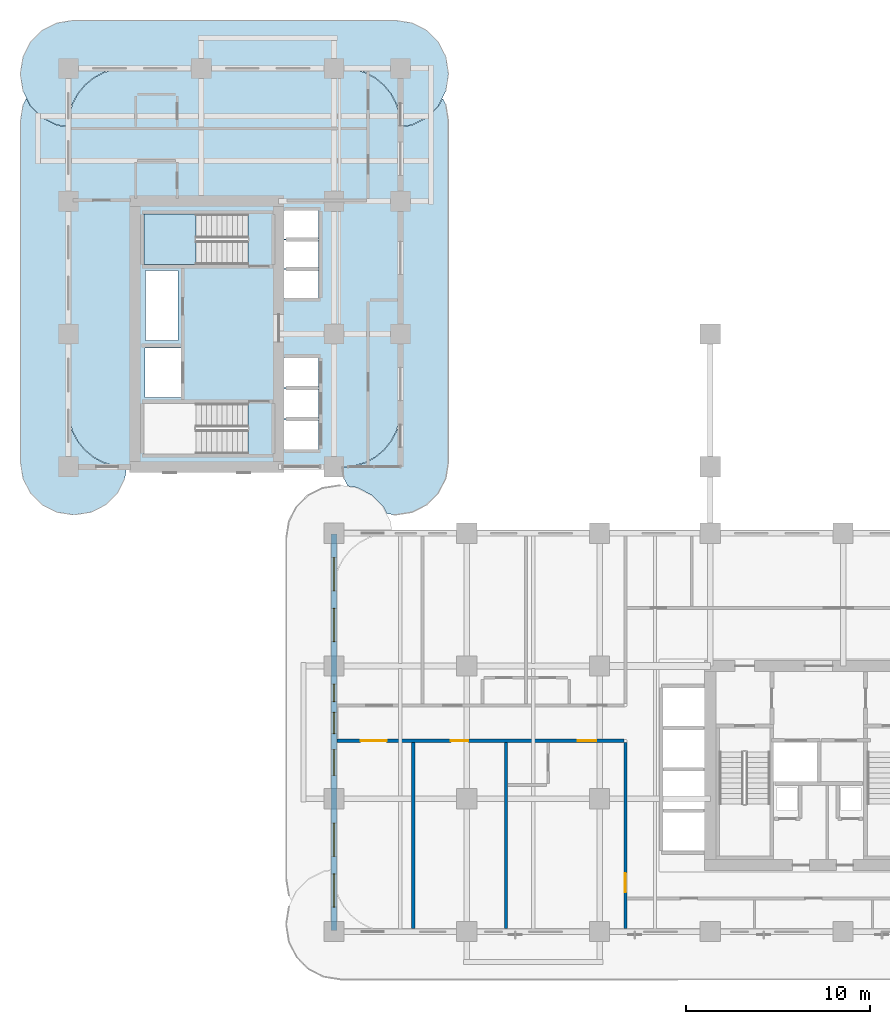
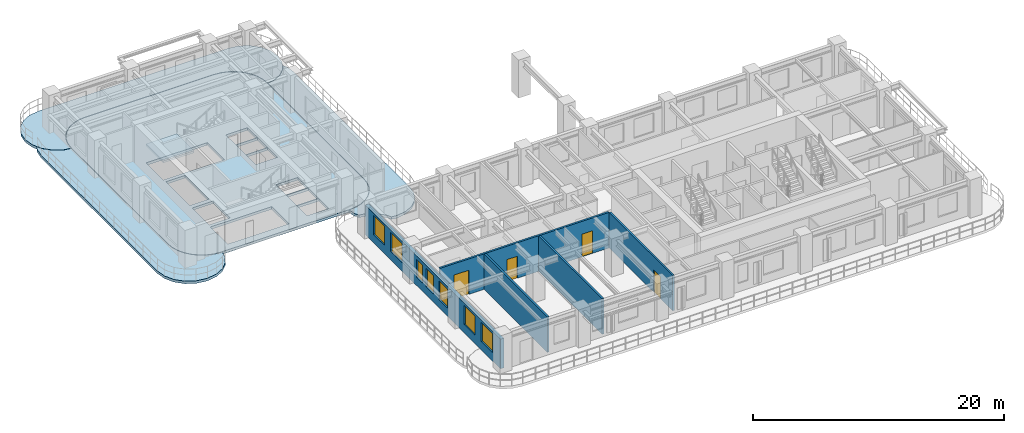
# One storey, part 6 of 19: 7 windows, 5 slabs, 5 walls, 4 doors, 11 openings, 1 element without a shape of its own.
"""IFC4 building model written with IfcOpenShell, lengths in metres."""

from ifc_helpers import new_model, si_unit, derived_unit, direction, frame, frame_2d, origin, place, context, subcontext, project, spatial, polyline, rectangle, outline, extrude, source, transform, mapped, material, layer, layer_set, type_object, type_shapes, element, fill, aggregate, save


model = new_model("IFC4")

# Units and contexts
model_context = context("Model", 3, precision=1e-05, world=origin(), true_north=direction((0.0, 1.0)))
body_context = subcontext(model_context, "Body", "Model", "MODEL_VIEW")
ifc_project = project(units=[si_unit("LENGTHUNIT", "METRE"), si_unit("AREAUNIT", "SQUARE_METRE"), si_unit("VOLUMEUNIT", "CUBIC_METRE"), si_unit("PLANEANGLEUNIT", "RADIAN"), si_unit("MASSUNIT", "GRAM", prefix="KILO"), si_unit("THERMODYNAMICTEMPERATUREUNIT", "KELVIN"), si_unit("POWERUNIT", "WATT"), derived_unit("THERMALTRANSMITTANCEUNIT", [(si_unit("POWERUNIT", "WATT"), 1), (si_unit("AREAUNIT", "SQUARE_METRE"), -1), (si_unit("THERMODYNAMICTEMPERATUREUNIT", "KELVIN"), -1)])], contexts=[model_context])

# Site, building, storey
site_placement = place(None, origin())
site = spatial("IfcSite", under=ifc_project, at=site_placement, CompositionType="ELEMENT")
building_placement = place(site_placement, origin())
building = spatial("IfcBuilding", under=site, at=building_placement, Name="Zahravan Archway Hotel and Residences", CompositionType="ELEMENT")
storey_placement = place(building_placement, frame((0.0, 0.0, 54.60009765625)))
storey = spatial("IfcBuildingStorey", under=building, at=storey_placement, Name="L12", CompositionType="ELEMENT", Elevation=54.60009765625)

# Slabs
ifc_material_1 = material(Name="Concrete C45/55", Category="concrete")
ifc_layer_1 = layer(ifc_material_1, 0.25, Name="Concrete C45/55", Category="concrete")
ifc_layer_set_1 = layer_set([ifc_layer_1], Name="Concrete C45/55")
slab_type_1 = type_object("IfcSlabType", Name="SLB-BALC-250", PredefinedType="FLOOR", material=ifc_layer_set_1)
slab_1_placement = place(storey_placement, frame((0.0, 0.0, -0.25)))
element("IfcSlab", 1, at=slab_1_placement, inside=storey, type_object=slab_type_1, Name="L12 Wing B North Rounded Balcony Band", PredefinedType="FLOOR", context=body_context, shape_type="SweptSolid", body=[
    extrude(outline(polyline([(-0.630615234375, 43.739501953125), (-1.42529296875, 44.144287109375), (-2.0556640625, 44.77490234375), (-2.46044921875, 45.5693359375), (-2.60009765625, 46.449951171875), (-2.60009765625, 46.550048828125), (-2.46044921875, 47.4306640625), (-2.0556640625, 48.22509765625), (-1.42529296875, 48.855712890625), (-0.630615234375, 49.260498046875), (0.25, 49.39990234375), (17.75, 49.39990234375), (18.630615234375, 49.260498046875), (19.42529296875, 48.855712890625), (20.0556640625, 48.22509765625), (20.46044921875, 47.4306640625), (20.60009765625, 46.550048828125), (20.60009765625, 46.449951171875), (20.46044921875, 45.5693359375), (20.0556640625, 44.77490234375), (19.42529296875, 44.144287109375), (18.630615234375, 43.739501953125), (18.02001953125, 43.642822265625), (18.02001953125, 43.699951171875), (18.02001953125, 43.701904296875), (17.960205078125, 44.306884765625), (17.9599609375, 44.30859375), (17.95947265625, 44.310546875), (17.783203125, 44.89208984375), (17.782470703125, 44.89404296875), (17.781494140625, 44.895751953125), (17.4951171875, 45.431640625), (17.494140625, 45.433349609375), (17.4931640625, 45.43505859375), (17.107421875, 45.90478515625), (17.106201171875, 45.906005859375), (17.104736328125, 45.907470703125), (16.635009765625, 46.293212890625), (16.63330078125, 46.294189453125), (16.631591796875, 46.295166015625), (16.095703125, 46.58154296875), (16.093994140625, 46.58251953125), (16.092041015625, 46.5830078125), (15.510498046875, 46.759521484375), (15.5087890625, 46.760009765625), (15.5068359375, 46.76025390625), (14.902099609375, 46.81982421875), (14.89990234375, 46.820068359375), (3.10009765625, 46.820068359375), (3.097900390625, 46.81982421875), (2.4931640625, 46.76025390625), (2.4912109375, 46.760009765625), (2.489501953125, 46.759521484375), (1.907958984375, 46.5830078125), (1.906005859375, 46.58251953125), (1.904296875, 46.58154296875), (1.368408203125, 46.295166015625), (1.36669921875, 46.294189453125), (1.364990234375, 46.293212890625), (0.895263671875, 45.907470703125), (0.893798828125, 45.906005859375), (0.892578125, 45.90478515625), (0.5068359375, 45.43505859375), (0.505859375, 45.433349609375), (0.5048828125, 45.431640625), (0.218505859375, 44.895751953125), (0.217529296875, 44.89404296875), (0.216796875, 44.89208984375), (0.04052734375, 44.310546875), (0.0400390625, 44.30859375), (0.039794921875, 44.306884765625), (-0.02001953125, 43.701904296875), (-0.02001953125, 43.699951171875), (-0.02001953125, 43.642822265625), (-0.630615234375, 43.739501953125)])), origin(), (0.0, 0.0, 1.0), 0.25),
])
slab_2_placement = place(storey_placement, frame((0.0, 0.0, -0.25)))
element("IfcSlab", 2, at=slab_2_placement, inside=storey, type_object=slab_type_1, Name="L12 Wing B West Rounded Balcony Band", PredefinedType="FLOOR", context=body_context, shape_type="SweptSolid", body=[
    extrude(outline(polyline([(3.060546875, 24.5693359375), (2.65576171875, 23.77490234375), (2.025146484375, 23.144287109375), (1.230712890625, 22.739501953125), (0.35009765625, 22.60009765625), (0.25, 22.60009765625), (-0.630615234375, 22.739501953125), (-1.42529296875, 23.144287109375), (-2.0556640625, 23.77490234375), (-2.46044921875, 24.5693359375), (-2.60009765625, 25.449951171875), (-2.60009765625, 43.949951171875), (-2.46044921875, 44.830810546875), (-2.28369140625, 45.177978515625), (-2.073486328125, 44.765625), (-2.072509765625, 44.763916015625), (-2.0712890625, 44.76220703125), (-2.06982421875, 44.7607421875), (-1.439208984375, 44.130126953125), (-1.437744140625, 44.12890625), (-1.43603515625, 44.12744140625), (-1.434326171875, 44.12646484375), (-0.639892578125, 43.7216796875), (-0.637939453125, 43.720703125), (-0.635986328125, 43.72021484375), (-0.6337890625, 43.7197265625), (-0.023193359375, 43.623046875), (-0.021240234375, 43.622802734375), (-0.02001953125, 43.622802734375), (-0.02001953125, 28.300048828125), (-0.02001953125, 28.298095703125), (0.039794921875, 27.693115234375), (0.0400390625, 27.69140625), (0.04052734375, 27.689453125), (0.216796875, 27.10791015625), (0.217529296875, 27.10595703125), (0.218505859375, 27.104248046875), (0.5048828125, 26.568359375), (0.505859375, 26.566650390625), (0.5068359375, 26.56494140625), (0.892578125, 26.09521484375), (0.893798828125, 26.093994140625), (0.895263671875, 26.092529296875), (1.364990234375, 25.706787109375), (1.36669921875, 25.705810546875), (1.368408203125, 25.704833984375), (1.904296875, 25.41845703125), (1.906005859375, 25.41748046875), (1.907958984375, 25.4169921875), (2.489501953125, 25.240478515625), (2.4912109375, 25.239990234375), (2.4931640625, 25.23974609375), (3.097900390625, 25.18017578125), (3.10009765625, 25.179931640625), (3.1572265625, 25.179931640625), (3.060546875, 24.5693359375)])), origin(), (0.0, 0.0, 1.0), 0.25),
])
slab_3_placement = place(storey_placement, frame((0.0, 0.0, -0.25)))
element("IfcSlab", 3, at=slab_3_placement, inside=storey, type_object=slab_type_1, Name="L12 Wing B East Rounded Balcony Band", PredefinedType="FLOOR", context=body_context, shape_type="SweptSolid", body=[
    extrude(outline(polyline([(20.46044921875, 44.830810546875), (20.60009765625, 43.949951171875), (20.60009765625, 25.449951171875), (20.46044921875, 24.5693359375), (20.0556640625, 23.77490234375), (19.42529296875, 23.144287109375), (18.630615234375, 22.739501953125), (17.75, 22.60009765625), (17.64990234375, 22.60009765625), (17.263671875, 22.6611328125), (17.073486328125, 23.0341796875), (17.072509765625, 23.0361328125), (17.0712890625, 23.037841796875), (17.06982421875, 23.039306640625), (16.439208984375, 23.669921875), (16.437744140625, 23.671142578125), (16.43603515625, 23.672607421875), (16.434326171875, 23.673583984375), (15.639892578125, 24.078369140625), (15.637939453125, 24.0791015625), (15.635986328125, 24.079833984375), (15.6337890625, 24.080322265625), (15.149658203125, 24.156982421875), (14.939453125, 24.5693359375), (14.8427734375, 25.179931640625), (14.89990234375, 25.179931640625), (14.902099609375, 25.18017578125), (15.5068359375, 25.23974609375), (15.5087890625, 25.239990234375), (15.510498046875, 25.240478515625), (16.092041015625, 25.4169921875), (16.093994140625, 25.41748046875), (16.095703125, 25.41845703125), (16.631591796875, 25.704833984375), (16.63330078125, 25.705810546875), (16.635009765625, 25.706787109375), (17.104736328125, 26.092529296875), (17.106201171875, 26.093994140625), (17.107421875, 26.09521484375), (17.4931640625, 26.56494140625), (17.494140625, 26.566650390625), (17.4951171875, 26.568359375), (17.781494140625, 27.104248046875), (17.782470703125, 27.10595703125), (17.783203125, 27.10791015625), (17.95947265625, 27.689453125), (17.9599609375, 27.69140625), (17.960205078125, 27.693115234375), (18.02001953125, 28.298095703125), (18.02001953125, 28.300048828125), (18.02001953125, 43.622802734375), (18.021240234375, 43.622802734375), (18.023193359375, 43.623046875), (18.6337890625, 43.7197265625), (18.635986328125, 43.72021484375), (18.637939453125, 43.720703125), (18.639892578125, 43.7216796875), (19.434326171875, 44.12646484375), (19.43603515625, 44.12744140625), (19.437744140625, 44.12890625), (19.439208984375, 44.130126953125), (20.06982421875, 44.7607421875), (20.0712890625, 44.76220703125), (20.072509765625, 44.763916015625), (20.073486328125, 44.765625), (20.28369140625, 45.177978515625), (20.46044921875, 44.830810546875)])), origin(), (0.0, 0.0, 1.0), 0.25),
])
ifc_layer_2 = layer(ifc_material_1, 0.25, Name="Concrete C45/55", Category="concrete")
ifc_layer_set_2 = layer_set([ifc_layer_2], Name="Concrete C45/55")
slab_type_2 = type_object("IfcSlabType", Name="SLB-FLR-250", PredefinedType="FLOOR", material=ifc_layer_set_2)
slab_4_placement = place(storey_placement, frame((0.0, 0.0, -0.25)))
element("IfcSlab", 4, at=slab_4_placement, inside=storey, type_object=slab_type_2, Name="L12 Floor Slab WB", PredefinedType="FLOOR", context=body_context, shape_type="SweptSolid", body=[
    extrude(outline(polyline([(14.89990234375, 25.199951171875), (15.5048828125, 25.259521484375), (16.086181640625, 25.43603515625), (16.622314453125, 25.722412109375), (17.092041015625, 26.10791015625), (17.4775390625, 26.57763671875), (17.763916015625, 27.11376953125), (17.9404296875, 27.6953125), (18.0, 28.300048828125), (18.0, 43.699951171875), (17.9404296875, 44.3046875), (17.763916015625, 44.88623046875), (17.4775390625, 45.42236328125), (17.092041015625, 45.89208984375), (16.622314453125, 46.277587890625), (16.086181640625, 46.56396484375), (15.5048828125, 46.740478515625), (14.89990234375, 46.800048828125), (3.10009765625, 46.800048828125), (2.4951171875, 46.740478515625), (1.913818359375, 46.56396484375), (1.377685546875, 46.277587890625), (0.907958984375, 45.89208984375), (0.5224609375, 45.42236328125), (0.236083984375, 44.88623046875), (0.0595703125, 44.3046875), (0.0, 43.699951171875), (0.0, 28.300048828125), (0.0595703125, 27.6953125), (0.236083984375, 27.11376953125), (0.5224609375, 26.57763671875), (0.907958984375, 26.10791015625), (1.377685546875, 25.722412109375), (1.913818359375, 25.43603515625), (2.4951171875, 25.259521484375), (3.10009765625, 25.199951171875), (14.89990234375, 25.199951171875)]), holes=[polyline([(9.72998046875, 28.639892578125), (4.10009765625, 28.639892578125), (4.10009765625, 25.89990234375), (9.72998046875, 25.89990234375), (9.72998046875, 28.639892578125)]), polyline([(9.72998046875, 38.89990234375), (4.10009765625, 38.89990234375), (4.10009765625, 36.159912109375), (9.72998046875, 36.159912109375), (9.72998046875, 38.89990234375)]), polyline([(4.14990234375, 28.949951171875), (6.10009765625, 28.949951171875), (6.10009765625, 31.64990234375), (4.14990234375, 31.64990234375), (4.14990234375, 28.949951171875)]), polyline([(11.550048828125, 26.14990234375), (13.550048828125, 26.14990234375), (13.550048828125, 27.75), (11.550048828125, 27.75), (11.550048828125, 26.14990234375)]), polyline([(11.550048828125, 27.830078125), (13.550048828125, 27.830078125), (13.550048828125, 29.429931640625), (11.550048828125, 29.429931640625), (11.550048828125, 27.830078125)]), polyline([(11.550048828125, 29.510009765625), (13.550048828125, 29.510009765625), (13.550048828125, 31.110107421875), (11.550048828125, 31.110107421875), (11.550048828125, 29.510009765625)]), polyline([(11.550048828125, 34.35009765625), (13.550048828125, 34.35009765625), (13.550048828125, 35.889892578125), (11.550048828125, 35.889892578125), (11.550048828125, 34.35009765625)]), polyline([(11.550048828125, 35.949951171875), (13.550048828125, 35.949951171875), (13.550048828125, 37.489990234375), (11.550048828125, 37.489990234375), (11.550048828125, 35.949951171875)]), polyline([(11.550048828125, 37.550048828125), (13.550048828125, 37.550048828125), (13.550048828125, 39.090087890625), (11.550048828125, 39.090087890625), (11.550048828125, 37.550048828125)]), polyline([(4.179931640625, 32.050048828125), (5.93994140625, 32.050048828125), (5.93994140625, 35.840087890625), (4.179931640625, 35.840087890625), (4.179931640625, 32.050048828125)])]), origin(), (0.0, 0.0, 1.0), 0.25),
])

# Stair, slab
ifc_material_2 = material(Name="Concrete C50/60", Category="concrete")
stair_type = type_object("IfcStairType", Name="STR-CORE-1300", PredefinedType="HALF_TURN_STAIR", material=ifc_material_2)
stair_placement = place(storey_placement, origin())
stair = element("IfcStair", 5, at=stair_placement, inside=storey, type_object=stair_type, Name="L12 Core B Exit Stair 2", PredefinedType="HALF_TURN_STAIR")
ifc_layer_3 = layer(ifc_material_2, 0.199951171875, Name="Concrete C50/60", Category="concrete")
ifc_layer_set_3 = layer_set([ifc_layer_3], Name="Concrete C50/60")
slab_type_3 = type_object("IfcSlabType", Name="SLB-LND-200", PredefinedType="LANDING", material=ifc_layer_set_3)
slab_5_placement = place(storey_placement, frame((0.0, 0.0, 1.64990234375)))
slab_5 = element("IfcSlab", 6, at=slab_5_placement, type_object=slab_type_3, Name="ST-B2 landing 1", PredefinedType="LANDING", context=body_context, shape_type="SweptSolid", body=[
    extrude(outline(polyline([(6.929931640625, 38.89990234375), (4.10009765625, 38.89990234375), (4.10009765625, 36.159912109375), (6.929931640625, 36.159912109375), (6.929931640625, 38.89990234375)])), origin(), (0.0, 0.0, 1.0), 0.199951171875),
])
aggregate(stair, [slab_5])

# Wall, openings, windows
ifc_material_3 = material(Name="Agra Buff Sandstone & Insulated Backup", Category="masonry")
ifc_layer_4 = layer(ifc_material_3, 0.320068359375, Name="Agra Buff Sandstone & Insulated Backup", Category="masonry")
ifc_layer_set_4 = layer_set([ifc_layer_4], Name="Agra Buff Sandstone & Insulated Backup")
wall_type_1 = type_object("IfcWallType", Name="EW-SAND-320", PredefinedType="SOLIDWALL", material=ifc_layer_set_4)
wall_1_placement = place(storey_placement, frame((14.39990234375, 0.050048828125, 0.0), z_axis=(0.0, 0.0, 1.0), x_axis=(0.0, 1.0, 0.0)))
wall_1 = element("IfcWall", 7, at=wall_1_placement, inside=storey, type_object=wall_type_1, Name="L12 Exterior Sandstone Wall WA-W", PredefinedType="SOLIDWALL", context=body_context, shape_type="SweptSolid", body=[
    extrude(rectangle(XDim=21.5, YDim=0.320068359375, at=frame_2d((10.75, 0.0))), origin(), (0.0, 0.0, 1.0), 2.885009765625),
])
opening_1_placement = place(wall_1_placement, frame((1.27490234375, 0.0, 0.800048828125)))
opening_1 = element("IfcOpeningElement", 8, at=opening_1_placement, cuts=wall_1, Name="Opening W-02", PredefinedType="OPENING", context=body_context, shape_type="SweptSolid", body=[
    extrude(rectangle(XDim=1.800048828125, YDim=1.85009765625, at=frame_2d((0.89990234375, 0.925048828125))), frame((0.0, 0.169921875, 0.0), z_axis=(0.0, -1.0, 0.0), x_axis=(1.0, 0.0, 0.0)), (0.0, 0.0, 1.0), 0.340087890625),
])
opening_2_placement = place(wall_1_placement, frame((4.02490234375, 0.0, 0.800048828125)))
opening_2 = element("IfcOpeningElement", 9, at=opening_2_placement, cuts=wall_1, Name="Opening W-02", PredefinedType="OPENING", context=body_context, shape_type="SweptSolid", body=[
    extrude(rectangle(XDim=1.800048828125, YDim=1.85009765625, at=frame_2d((0.89990234375, 0.925048828125))), frame((0.0, 0.169921875, 0.0), z_axis=(0.0, -1.0, 0.0), x_axis=(1.0, 0.0, 0.0)), (0.0, 0.0, 1.0), 0.340087890625),
])
opening_3_placement = place(wall_1_placement, frame((8.4208984375, 0.0, 0.800048828125)))
opening_3 = element("IfcOpeningElement", 10, at=opening_3_placement, cuts=wall_1, Name="Opening W-03", PredefinedType="OPENING", context=body_context, shape_type="SweptSolid", body=[
    extrude(rectangle(XDim=1.39990234375, YDim=1.85009765625, at=frame_2d((0.699951171875, 0.925048828125))), frame((0.0, 0.169921875, 0.0), z_axis=(0.0, -1.0, 0.0), x_axis=(1.0, 0.0, 0.0)), (0.0, 0.0, 1.0), 0.340087890625),
])
opening_4_placement = place(wall_1_placement, frame((10.68505859375, 0.0, 0.800048828125)))
opening_4 = element("IfcOpeningElement", 11, at=opening_4_placement, cuts=wall_1, Name="Opening W-05", PredefinedType="OPENING", context=body_context, shape_type="SweptSolid", body=[
    extrude(rectangle(XDim=1.14990234375, YDim=1.800048828125, at=frame_2d((0.574951171875, 0.89990234375))), frame((0.0, 0.169921875, 0.0), z_axis=(0.0, -1.0, 0.0), x_axis=(1.0, 0.0, 0.0)), (0.0, 0.0, 1.0), 0.340087890625),
])
opening_5_placement = place(wall_1_placement, frame((12.4140625, 0.0, 0.800048828125)))
opening_5 = element("IfcOpeningElement", 12, at=opening_5_placement, cuts=wall_1, Name="Opening W-04", PredefinedType="OPENING", context=body_context, shape_type="SweptSolid", body=[
    extrude(rectangle(XDim=0.949951171875, YDim=1.75, at=frame_2d((0.47509765625, 0.875))), frame((0.0, 0.169921875, 0.0), z_axis=(0.0, -1.0, 0.0), x_axis=(1.0, 0.0, 0.0)), (0.0, 0.0, 1.0), 0.340087890625),
])
opening_6_placement = place(wall_1_placement, frame((15.675048828125, 0.0, 0.800048828125)))
opening_6 = element("IfcOpeningElement", 13, at=opening_6_placement, cuts=wall_1, Name="Opening W-02", PredefinedType="OPENING", context=body_context, shape_type="SweptSolid", body=[
    extrude(rectangle(XDim=1.800048828125, YDim=1.85009765625, at=frame_2d((0.89990234375, 0.925048828125))), frame((0.0, 0.169921875, 0.0), z_axis=(0.0, -1.0, 0.0), x_axis=(1.0, 0.0, 0.0)), (0.0, 0.0, 1.0), 0.340087890625),
])
opening_7_placement = place(wall_1_placement, frame((18.425048828125, 0.0, 0.800048828125)))
opening_7 = element("IfcOpeningElement", 14, at=opening_7_placement, cuts=wall_1, Name="Opening W-02", PredefinedType="OPENING", context=body_context, shape_type="SweptSolid", body=[
    extrude(rectangle(XDim=1.800048828125, YDim=1.85009765625, at=frame_2d((0.89990234375, 0.925048828125))), frame((0.0, 0.169921875, 0.0), z_axis=(0.0, -1.0, 0.0), x_axis=(1.0, 0.0, 0.0)), (0.0, 0.0, 1.0), 0.340087890625),
])
ifc_material_4 = material(Name="Bronze-Anodized Thermal-Break Aluminium & Low-E Glass", Category="aluminium")
window_type_1 = type_object("IfcWindowType", Name="WIN-TWR-1400", PartitioningType="SINGLE_PANEL", PredefinedType="WINDOW", material=ifc_material_4)
shared_shape_1 = source(origin(), body_context, "Body", "SweptSolid", [
    extrude(rectangle(XDim=1.39990234375, YDim=1.85009765625, at=frame_2d((0.699951171875, 0.925048828125))), frame((0.0, 0.030029296875, 0.0), z_axis=(0.0, -1.0, 0.0), x_axis=(1.0, 0.0, 0.0)), (0.0, 0.0, 1.0), 0.06005859375),
])
type_shapes(window_type_1, [shared_shape_1])
window_1_placement = place(opening_3_placement, origin())
window_1 = element("IfcWindow", 15, at=window_1_placement, inside=storey, type_object=window_type_1, Name="L12 Loggia Window 29", OverallHeight=1.85009765625, OverallWidth=1.39990234375, PartitioningType="SINGLE_PANEL", PredefinedType="WINDOW", context=body_context, shape_type="MappedRepresentation", body=[
    mapped(shared_shape_1, transform((0.0, 0.0, 0.0), scale=1.0)),
])
fill(opening_3, window_1)
window_type_2 = type_object("IfcWindowType", Name="WIN-NAR-950", PartitioningType="SINGLE_PANEL", PredefinedType="WINDOW", material=ifc_material_4)
shared_shape_2 = source(origin(), body_context, "Body", "SweptSolid", [
    extrude(rectangle(XDim=0.949951171875, YDim=1.75, at=frame_2d((0.47509765625, 0.875))), frame((0.0, 0.030029296875, 0.0), z_axis=(0.0, -1.0, 0.0), x_axis=(1.0, 0.0, 0.0)), (0.0, 0.0, 1.0), 0.06005859375),
])
type_shapes(window_type_2, [shared_shape_2])
window_2_placement = place(opening_5_placement, origin())
window_2 = element("IfcWindow", 16, at=window_2_placement, inside=storey, type_object=window_type_2, Name="L12 Loggia Window 31", OverallHeight=1.75, OverallWidth=0.949951171875, PartitioningType="SINGLE_PANEL", PredefinedType="WINDOW", context=body_context, shape_type="MappedRepresentation", body=[
    mapped(shared_shape_2, transform((0.0, 0.0, 0.0), scale=1.0)),
])
fill(opening_5, window_2)
window_type_3 = type_object("IfcWindowType", Name="WIN-TWR-1800", PartitioningType="DOUBLE_PANEL_VERTICAL", PredefinedType="WINDOW", material=ifc_material_4)
shared_shape_3 = source(origin(), body_context, "Body", "SweptSolid", [
    extrude(rectangle(XDim=1.800048828125, YDim=1.85009765625, at=frame_2d((0.89990234375, 0.925048828125))), frame((0.0, 0.030029296875, 0.0), z_axis=(0.0, -1.0, 0.0), x_axis=(1.0, 0.0, 0.0)), (0.0, 0.0, 1.0), 0.06005859375),
])
type_shapes(window_type_3, [shared_shape_3])
window_3_placement = place(opening_1_placement, origin())
window_3 = element("IfcWindow", 17, at=window_3_placement, inside=storey, type_object=window_type_3, Name="L12 Loggia Window 27", OverallHeight=1.85009765625, OverallWidth=1.800048828125, PartitioningType="DOUBLE_PANEL_VERTICAL", PredefinedType="WINDOW", context=body_context, shape_type="MappedRepresentation", body=[
    mapped(shared_shape_3, transform((0.0, 0.0, 0.0), scale=1.0)),
])
fill(opening_1, window_3)
window_4_placement = place(opening_2_placement, origin())
window_4 = element("IfcWindow", 18, at=window_4_placement, inside=storey, type_object=window_type_3, Name="L12 Loggia Window 28", OverallHeight=1.85009765625, OverallWidth=1.800048828125, PartitioningType="DOUBLE_PANEL_VERTICAL", PredefinedType="WINDOW", context=body_context, shape_type="MappedRepresentation", body=[
    mapped(shared_shape_3, transform((0.0, 0.0, 0.0), scale=1.0)),
])
fill(opening_2, window_4)
window_5_placement = place(opening_6_placement, origin())
window_5 = element("IfcWindow", 19, at=window_5_placement, inside=storey, type_object=window_type_3, Name="L12 Loggia Window 32", OverallHeight=1.85009765625, OverallWidth=1.800048828125, PartitioningType="DOUBLE_PANEL_VERTICAL", PredefinedType="WINDOW", context=body_context, shape_type="MappedRepresentation", body=[
    mapped(shared_shape_3, transform((0.0, 0.0, 0.0), scale=1.0)),
])
fill(opening_6, window_5)
window_6_placement = place(opening_7_placement, origin())
window_6 = element("IfcWindow", 20, at=window_6_placement, inside=storey, type_object=window_type_3, Name="L12 Loggia Window 33", OverallHeight=1.85009765625, OverallWidth=1.800048828125, PartitioningType="DOUBLE_PANEL_VERTICAL", PredefinedType="WINDOW", context=body_context, shape_type="MappedRepresentation", body=[
    mapped(shared_shape_3, transform((0.0, 0.0, 0.0), scale=1.0)),
])
fill(opening_7, window_6)
window_type_4 = type_object("IfcWindowType", Name="WIN-TWR-1150", PartitioningType="SINGLE_PANEL", PredefinedType="WINDOW", material=ifc_material_4)
shared_shape_4 = source(origin(), body_context, "Body", "SweptSolid", [
    extrude(rectangle(XDim=1.14990234375, YDim=1.800048828125, at=frame_2d((0.574951171875, 0.89990234375))), frame((0.0, 0.030029296875, 0.0), z_axis=(0.0, -1.0, 0.0), x_axis=(1.0, 0.0, 0.0)), (0.0, 0.0, 1.0), 0.06005859375),
])
type_shapes(window_type_4, [shared_shape_4])
window_7_placement = place(opening_4_placement, origin())
window_7 = element("IfcWindow", 21, at=window_7_placement, inside=storey, type_object=window_type_4, Name="L12 Loggia Window 30", OverallHeight=1.800048828125, OverallWidth=1.14990234375, PartitioningType="SINGLE_PANEL", PredefinedType="WINDOW", context=body_context, shape_type="MappedRepresentation", body=[
    mapped(shared_shape_4, transform((0.0, 0.0, 0.0), scale=1.0)),
])
fill(opening_4, window_7)

# Wall, opening, door
ifc_material_5 = material(Name="Fire-Rated Gypsum & Concrete Block", Category="concrete")
ifc_layer_5 = layer(ifc_material_5, 0.159912109375, Name="Fire-Rated Gypsum & Concrete Block", Category="concrete")
ifc_layer_set_5 = layer_set([ifc_layer_5], Name="Fire-Rated Gypsum & Concrete Block")
wall_type_2 = type_object("IfcWallType", Name="PW-CORR-160", PredefinedType="PARTITIONING", material=ifc_layer_set_5)
wall_2_placement = place(storey_placement, frame((30.199951171875, 0.16796875, 0.0), z_axis=(0.0, 0.0, 1.0), x_axis=(0.0, 1.0, 0.0)))
wall_2 = element("IfcWall", 22, at=wall_2_placement, inside=storey, type_object=wall_type_2, Name="L12 Partition WA-SRW", PredefinedType="PARTITIONING", context=body_context, shape_type="SweptSolid", body=[
    extrude(rectangle(XDim=10.092041015625, YDim=0.159912109375, at=frame_2d((5.0458984375, 0.0))), origin(), (0.0, 0.0, 1.0), 3.449951171875),
])
opening_8_placement = place(wall_2_placement, frame((1.95703125, 0.0, 0.0)))
opening_8 = element("IfcOpeningElement", 23, at=opening_8_placement, cuts=wall_2, Name="Opening FD-L2", PredefinedType="OPENING", context=body_context, shape_type="SweptSolid", body=[
    extrude(rectangle(XDim=1.050048828125, YDim=2.14990234375, at=frame_2d((0.52490234375, 1.074951171875))), frame((0.0, 0.08984375, 0.0), z_axis=(0.0, -1.0, 0.0), x_axis=(1.0, 0.0, 0.0)), (0.0, 0.0, 1.0), 0.179931640625),
])
ifc_material_6 = material(Name="Fire-Rated Painted Steel", Category="steel")
door_type_1 = type_object("IfcDoorType", Name="FD-LOBBY-1100", OperationType="NOTDEFINED", PredefinedType="DOOR", material=ifc_material_6)
shared_shape_5 = source(origin(), body_context, "Body", "SweptSolid", [
    extrude(rectangle(XDim=1.050048828125, YDim=2.14990234375, at=frame_2d((0.52490234375, 1.074951171875))), frame((0.0, 0.02490234375, 0.0), z_axis=(0.0, -1.0, 0.0), x_axis=(1.0, 0.0, 0.0)), (0.0, 0.0, 1.0), 0.050048828125),
])
type_shapes(door_type_1, [shared_shape_5])
door_1_placement = place(opening_8_placement, origin())
door_1 = element("IfcDoor", 24, at=door_1_placement, inside=storey, type_object=door_type_1, Name="L12 South Riser Corridor Door", OperationType="SINGLE_SWING_LEFT", OverallHeight=2.14990234375, OverallWidth=1.050048828125, PredefinedType="DOOR", context=body_context, shape_type="MappedRepresentation", body=[
    mapped(shared_shape_5, transform((0.0, 0.0, 0.0), scale=1.0)),
])
fill(opening_8, door_1)

# Wall, openings, doors
ifc_layer_6 = layer(ifc_material_5, 0.179931640625, Name="Fire-Rated Gypsum & Concrete Block", Category="concrete")
ifc_layer_set_6 = layer_set([ifc_layer_6], Name="Fire-Rated Gypsum & Concrete Block")
wall_type_3 = type_object("IfcWallType", Name="PW-CORR-180", PredefinedType="PARTITIONING", material=ifc_layer_set_6)
wall_3_placement = place(storey_placement, frame((14.568115234375, 10.35009765625, 0.0), z_axis=(0.0, 0.0, 1.0), x_axis=(1.0, 0.0, 0.0)))
wall_3 = element("IfcWall", 25, at=wall_3_placement, inside=storey, type_object=wall_type_3, Name="L12 Partition WA-CS", PredefinedType="PARTITIONING", context=body_context, shape_type="SweptSolid", body=[
    extrude(rectangle(XDim=15.5419921875, YDim=0.179931640625, at=frame_2d((7.77099609375, 0.0))), origin(), (0.0, 0.0, 1.0), 3.449951171875),
])
opening_9_placement = place(wall_3_placement, frame((1.281982421875, 0.0, 0.0)))
opening_9 = element("IfcOpeningElement", 26, at=opening_9_placement, cuts=wall_3, Name="Opening D-P1", PredefinedType="OPENING", context=body_context, shape_type="SweptSolid", body=[
    extrude(rectangle(XDim=1.39990234375, YDim=2.35009765625, at=frame_2d((0.699951171875, 1.175048828125))), frame((0.0, 0.10009765625, 0.0), z_axis=(0.0, -1.0, 0.0), x_axis=(1.0, 0.0, 0.0)), (0.0, 0.0, 1.0), 0.199951171875),
])
opening_10_placement = place(wall_3_placement, frame((6.1669921875, 0.0, 0.0)))
opening_10 = element("IfcOpeningElement", 27, at=opening_10_placement, cuts=wall_3, Name="Opening D-I1", PredefinedType="OPENING", context=body_context, shape_type="SweptSolid", body=[
    extrude(rectangle(XDim=0.949951171875, YDim=2.14990234375, at=frame_2d((0.47509765625, 1.074951171875))), frame((0.0, 0.10009765625, 0.0), z_axis=(0.0, -1.0, 0.0), x_axis=(1.0, 0.0, 0.0)), (0.0, 0.0, 1.0), 0.199951171875),
])
opening_11_placement = place(wall_3_placement, frame((13.0419921875, 0.0, 0.0)))
opening_11 = element("IfcOpeningElement", 28, at=opening_11_placement, cuts=wall_3, Name="Opening D-U2", PredefinedType="OPENING", context=body_context, shape_type="SweptSolid", body=[
    extrude(rectangle(XDim=1.0, YDim=2.199951171875, at=frame_2d((0.5, 1.10009765625))), frame((0.0, 0.10009765625, 0.0), z_axis=(0.0, -1.0, 0.0), x_axis=(1.0, 0.0, 0.0)), (0.0, 0.0, 1.0), 0.199951171875),
])
ifc_material_7 = material(Name="Bronze-Anodized Glazed Aluminium", Category="aluminium")
door_type_2 = type_object("IfcDoorType", Name="ID-PUBLIC-1400", OperationType="DOUBLE_DOOR_SINGLE_SWING", PredefinedType="DOOR", material=ifc_material_7)
shared_shape_6 = source(origin(), body_context, "Body", "SweptSolid", [
    extrude(rectangle(XDim=1.39990234375, YDim=2.35009765625, at=frame_2d((0.699951171875, 1.175048828125))), frame((0.0, 0.02490234375, 0.0), z_axis=(0.0, -1.0, 0.0), x_axis=(1.0, 0.0, 0.0)), (0.0, 0.0, 1.0), 0.050048828125),
])
type_shapes(door_type_2, [shared_shape_6])
door_2_placement = place(opening_9_placement, origin())
door_2 = element("IfcDoor", 29, at=door_2_placement, inside=storey, type_object=door_type_2, Name="L12 West Majlis Door", OperationType="DOUBLE_DOOR_SINGLE_SWING", OverallHeight=2.35009765625, OverallWidth=1.39990234375, PredefinedType="DOOR", context=body_context, shape_type="MappedRepresentation", body=[
    mapped(shared_shape_6, transform((0.0, 0.0, 0.0), scale=1.0)),
])
fill(opening_9, door_2)
ifc_material_8 = material(Name="Hardwood Veneer Timber", Category="wood")
door_type_3 = type_object("IfcDoorType", Name="ID-INT-950", OperationType="NOTDEFINED", PredefinedType="DOOR", material=ifc_material_8)
shared_shape_7 = source(origin(), body_context, "Body", "SweptSolid", [
    extrude(rectangle(XDim=0.949951171875, YDim=2.14990234375, at=frame_2d((0.47509765625, 1.074951171875))), frame((0.0, 0.02490234375, 0.0), z_axis=(0.0, -1.0, 0.0), x_axis=(1.0, 0.0, 0.0)), (0.0, 0.0, 1.0), 0.050048828125),
])
type_shapes(door_type_3, [shared_shape_7])
door_3_placement = place(opening_10_placement, origin())
door_3 = element("IfcDoor", 30, at=door_3_placement, inside=storey, type_object=door_type_3, Name="L12 Boardroom Door", OperationType="SINGLE_SWING_LEFT", OverallHeight=2.14990234375, OverallWidth=0.949951171875, PredefinedType="DOOR", context=body_context, shape_type="MappedRepresentation", body=[
    mapped(shared_shape_7, transform((0.0, 0.0, 0.0), scale=1.0)),
])
fill(opening_10, door_3)
door_type_4 = type_object("IfcDoorType", Name="ID-UNIT-1000", OperationType="NOTDEFINED", PredefinedType="DOOR", material=ifc_material_8)
shared_shape_8 = source(origin(), body_context, "Body", "SweptSolid", [
    extrude(rectangle(XDim=1.0, YDim=2.199951171875, at=frame_2d((0.5, 1.10009765625))), frame((0.0, 0.02490234375, 0.0), z_axis=(0.0, -1.0, 0.0), x_axis=(1.0, 0.0, 0.0)), (0.0, 0.0, 1.0), 0.050048828125),
])
type_shapes(door_type_4, [shared_shape_8])
door_4_placement = place(opening_11_placement, origin())
door_4 = element("IfcDoor", 31, at=door_4_placement, inside=storey, type_object=door_type_4, Name="L12 Hotel Guestroom 21 Entrance Door", OperationType="SINGLE_SWING_LEFT", OverallHeight=2.199951171875, OverallWidth=1.0, PredefinedType="DOOR", context=body_context, shape_type="MappedRepresentation", body=[
    mapped(shared_shape_8, transform((0.0, 0.0, 0.0), scale=1.0)),
])
fill(opening_11, door_4)

# Walls
ifc_material_9 = material(Name="Acoustic Stud Partition")
ifc_layer_7 = layer(ifc_material_9, 0.169921875, Name="Acoustic Stud Partition")
ifc_layer_set_7 = layer_set([ifc_layer_7], Name="Acoustic Stud Partition")
wall_type_4 = type_object("IfcWallType", Name="PW-UNIT-170", PredefinedType="PARTITIONING", material=ifc_layer_set_7)
for number, where, z_axis, x_axis, name in (
    (32, (18.699951171875, 0.16796875, 0.0), (0.0, 0.0, 1.0), (0.0, 1.0, 0.0), "L12 Partition WAS-2A"),
    (33, (23.719970703125, 0.16796875, 0.0), (0.0, 0.0, 1.0), (0.0, 1.0, 0.0), "L12 Partition WAS-2B"),
):
    element("IfcWall", number, at=place(storey_placement, frame(where, z_axis=z_axis, x_axis=x_axis)), inside=storey, type_object=wall_type_4, Name=name, PredefinedType="PARTITIONING", context=body_context, shape_type="SweptSolid", body=[
        extrude(rectangle(XDim=10.092041015625, YDim=0.169921875, at=frame_2d((5.0458984375, 0.0))), origin(), (0.0, 0.0, 1.0), 3.449951171875),
    ])

save(model, "model.ifc")
